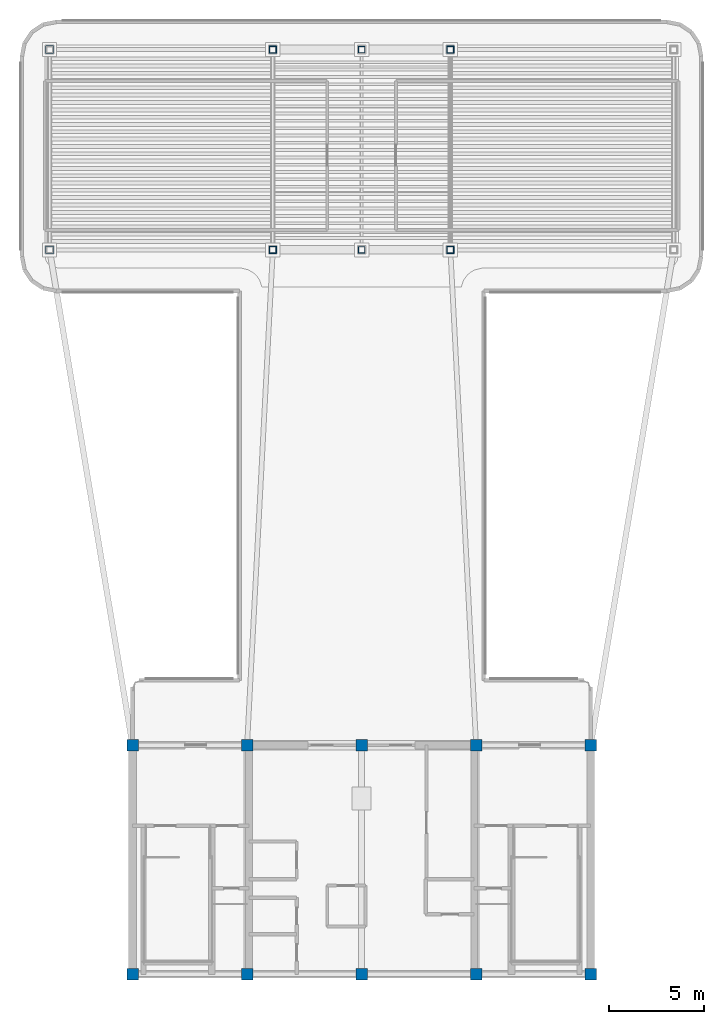
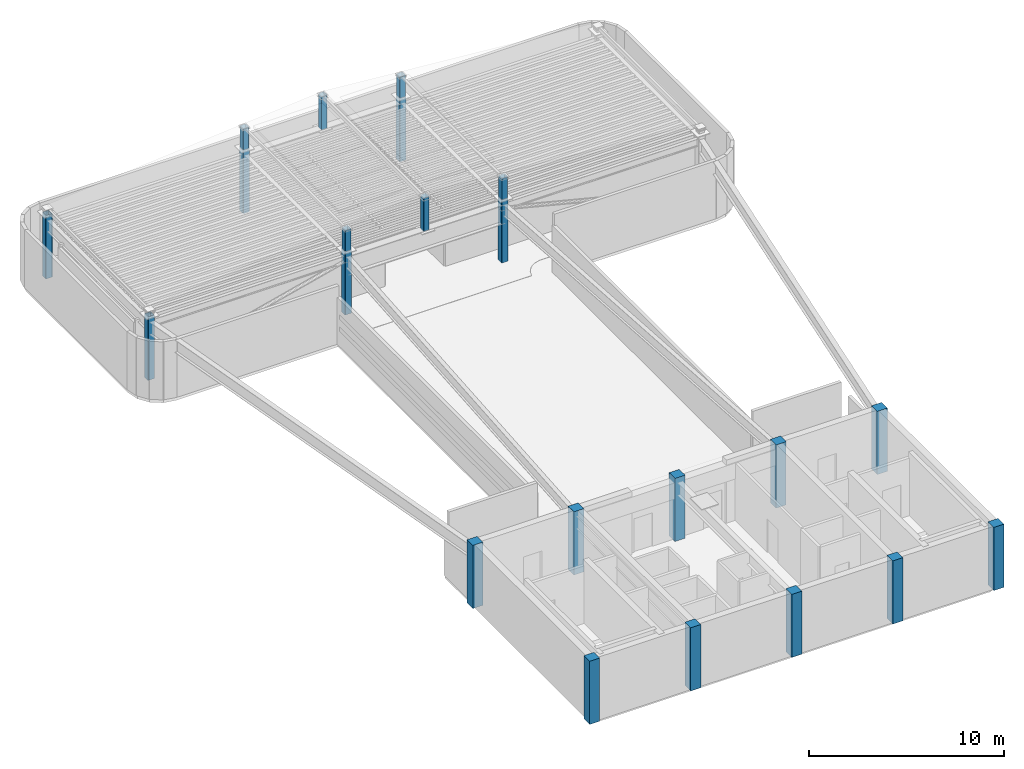
# One storey, part 1 of 7: 22 columns.
"""IFC4 building model written with IfcOpenShell, lengths in metres."""

from ifc_helpers import new_model, si_unit, direction, frame, origin, origin_2d, place, context, subcontext, project, spatial, rectangle, hollow_rectangle, extrude, source, transform, mapped, material, material_profile, profile_set, type_object, element, save


model = new_model("IFC4")

# Units and contexts
model_context = context("Model", 3, precision=1e-05, world=origin(), true_north=direction((0.0, 1.0)))
body_context = subcontext(model_context, "Body", "Model", "MODEL_VIEW")
ifc_project = project(units=[si_unit("LENGTHUNIT", "METRE"), si_unit("AREAUNIT", "SQUARE_METRE"), si_unit("VOLUMEUNIT", "CUBIC_METRE"), si_unit("PLANEANGLEUNIT", "RADIAN"), si_unit("MASSUNIT", "GRAM", prefix="KILO")], contexts=[model_context])

# Site, building, storey
site_placement = place(None, origin())
site = spatial("IfcSite", under=ifc_project, at=site_placement, CompositionType="ELEMENT")
building_placement = place(site_placement, origin())
building = spatial("IfcBuilding", under=site, at=building_placement, Name="Brelvock Crest Care Tower", CompositionType="ELEMENT")
storey_placement = place(building_placement, frame((0.0, 0.0, 315.719970703125)))
storey = spatial("IfcBuildingStorey", under=building, at=storey_placement, Name="L80", CompositionType="ELEMENT", Elevation=315.719970703125)

# Columns
ifc_material_1 = material(Name="Concrete S65 (65 MPa)", Category="concrete")
ifc_material_profile_1 = material_profile(ifc_material_1, rectangle(XDim=0.60009765625, YDim=0.60009765625, at=origin_2d()), Name="RC600x600")
ifc_profile_set_1 = profile_set([ifc_material_profile_1], Name="Concrete S65 (65 MPa)")
column_type_1 = type_object("IfcColumnType", Name="COL-RC4", PredefinedType="COLUMN", material=ifc_profile_set_1)
shared_shape_1 = source(origin(), body_context, "Body", "SweptSolid", [
    extrude(rectangle(XDim=0.60009765625, YDim=0.60009765625, at=origin_2d()), origin(), (0.0, 0.0, 1.0), 3.9599609375),
])
for number, where, z_axis, x_axis, name in (
    (1, (24.0, 6.0, 0.0), (0.0, 0.0, 1.0), (1.0, 0.0, 0.0), "L80 Core Column CC-01"),
    (2, (30.0, 6.0, 0.0), (0.0, 0.0, 1.0), (1.0, 0.0, 0.0), "L80 Core Column CC-02"),
    (3, (36.0, 6.0, 0.0), (0.0, 0.0, 1.0), (1.0, 0.0, 0.0), "L80 Core Column CC-03"),
    (4, (42.0, 6.0, 0.0), (0.0, 0.0, 1.0), (1.0, 0.0, 0.0), "L80 Core Column CC-04"),
    (5, (48.0, 6.0, 0.0), (0.0, 0.0, 1.0), (1.0, 0.0, 0.0), "L80 Core Column CC-05"),
    (6, (24.0, 18.0, 0.0), (0.0, 0.0, 1.0), (1.0, 0.0, 0.0), "L80 Core Column CC-06"),
    (7, (30.0, 18.0, 0.0), (0.0, 0.0, 1.0), (1.0, 0.0, 0.0), "L80 Core Column CC-07"),
    (8, (36.0, 18.0, 0.0), (0.0, 0.0, 1.0), (1.0, 0.0, 0.0), "L80 Core Column CC-08"),
    (9, (42.0, 18.0, 0.0), (0.0, 0.0, 1.0), (1.0, 0.0, 0.0), "L80 Core Column CC-09"),
    (10, (48.0, 18.0, 0.0), (0.0, 0.0, 1.0), (1.0, 0.0, 0.0), "L80 Core Column CC-10"),
):
    element("IfcColumn", number, at=place(storey_placement, frame(where, z_axis=z_axis, x_axis=x_axis)), inside=storey, type_object=column_type_1, Name=name, PredefinedType="COLUMN", context=body_context, shape_type="MappedRepresentation", body=[
        mapped(shared_shape_1, transform((0.0, 0.0, 0.0), x_axis=(1.0, 0.0, 0.0), y_axis=(0.0, 1.0, 0.0), z_axis=(0.0, 0.0, 1.0), scale=1.0)),
    ])
ifc_material_2 = material(Name="Steel Grade 350", Category="steel")
ifc_material_profile_2 = material_profile(ifc_material_2, hollow_rectangle(XDim=0.39990234375, YDim=0.39990234375, WallThickness=0.02001953125, OuterFilletRadius=0.0400390625, at=origin_2d()), Name="SHS400x400x20.0")
ifc_profile_set_2 = profile_set([ifc_material_profile_2], Name="Steel Grade 350")
column_type_2 = type_object("IfcColumnType", Name="COL-CR1", PredefinedType="COLUMN", material=ifc_profile_set_2)
shared_shape_2 = source(origin(), body_context, "Body", "SweptSolid", [
    extrude(hollow_rectangle(XDim=0.39990234375, YDim=0.39990234375, WallThickness=0.02001953125, OuterFilletRadius=0.0400390625, at=origin_2d()), origin(), (0.0, 0.0, 1.0), 3.9599609375),
])
for number, where, z_axis, x_axis, name in (
    (11, (19.64990234375, 43.949951171875, 0.0), (0.0, 0.0, 1.0), (1.0, 0.0, 0.0), "L80 Tower Column M1"),
    (12, (19.64990234375, 54.449951171875, 0.0), (0.0, 0.0, 1.0), (1.0, 0.0, 0.0), "L80 Tower Column M2"),
    (13, (31.35009765625, 43.949951171875, 0.0), (0.0, 0.0, 1.0), (1.0, 0.0, 0.0), "L80 Tower Column M5"),
    (14, (40.64990234375, 43.949951171875, 0.0), (0.0, 0.0, 1.0), (1.0, 0.0, 0.0), "L80 Tower Column M6"),
    (15, (31.35009765625, 54.449951171875, 0.0), (0.0, 0.0, 1.0), (1.0, 0.0, 0.0), "L80 Tower Column M7"),
    (16, (40.64990234375, 54.449951171875, 0.0), (0.0, 0.0, 1.0), (1.0, 0.0, 0.0), "L80 Tower Column M8"),
):
    element("IfcColumn", number, at=place(storey_placement, frame(where, z_axis=z_axis, x_axis=x_axis)), inside=storey, type_object=column_type_2, Name=name, PredefinedType="COLUMN", context=body_context, shape_type="MappedRepresentation", body=[
        mapped(shared_shape_2, transform((0.0, 0.0, 0.0), x_axis=(1.0, 0.0, 0.0), y_axis=(0.0, 1.0, 0.0), z_axis=(0.0, 0.0, 1.0), scale=1.0)),
    ])
ifc_material_profile_3 = material_profile(ifc_material_2, hollow_rectangle(XDim=0.35009765625, YDim=0.35009765625, WallThickness=0.01611328125, OuterFilletRadius=0.031982421875, at=origin_2d()), Name="SHS350x350x16.0")
ifc_profile_set_3 = profile_set([ifc_material_profile_3], Name="Steel Grade 350")
column_type_3 = type_object("IfcColumnType", Name="COL-CR2", PredefinedType="COLUMN", material=ifc_profile_set_3)
shared_shape_3 = source(origin(), body_context, "Body", "SweptSolid", [
    extrude(hollow_rectangle(XDim=0.35009765625, YDim=0.35009765625, WallThickness=0.01611328125, OuterFilletRadius=0.031982421875, at=origin_2d()), origin(), (0.0, 0.0, 1.0), 1.3447265625),
])
for number, where, z_axis, x_axis, name in (
    (17, (31.35009765625, 43.949951171875, 3.9599609375), (0.0, 0.0, 1.0), (1.0, 0.0, 0.0), "L80 Observation Canopy Post CP-05"),
    (18, (40.64990234375, 43.949951171875, 3.9599609375), (0.0, 0.0, 1.0), (1.0, 0.0, 0.0), "L80 Observation Canopy Post CP-06"),
    (19, (31.35009765625, 54.449951171875, 3.9599609375), (0.0, 0.0, 1.0), (1.0, 0.0, 0.0), "L80 Observation Canopy Post CP-07"),
    (20, (40.64990234375, 54.449951171875, 3.9599609375), (0.0, 0.0, 1.0), (1.0, 0.0, 0.0), "L80 Observation Canopy Post CP-08"),
):
    element("IfcColumn", number, at=place(storey_placement, frame(where, z_axis=z_axis, x_axis=x_axis)), inside=storey, type_object=column_type_3, Name=name, PredefinedType="COLUMN", context=body_context, shape_type="MappedRepresentation", body=[
        mapped(shared_shape_3, transform((0.0, 0.0, 0.0), x_axis=(1.0, 0.0, 0.0), y_axis=(0.0, 1.0, 0.0), z_axis=(0.0, 0.0, 1.0), scale=1.0)),
    ])
shared_shape_4 = source(origin(), body_context, "Body", "SweptSolid", [
    extrude(hollow_rectangle(XDim=0.35009765625, YDim=0.35009765625, WallThickness=0.01611328125, OuterFilletRadius=0.031982421875, at=origin_2d()), origin(), (0.0, 0.0, 1.0), 2.10400390625),
])
for number, where, z_axis, x_axis, name in (
    (21, (36.0, 43.949951171875, 3.590087890625), (0.0, 0.0, 1.0), (1.0, 0.0, 0.0), "L80 Observation Canopy Post CP-09"),
    (22, (36.0, 54.449951171875, 3.590087890625), (0.0, 0.0, 1.0), (1.0, 0.0, 0.0), "L80 Observation Canopy Post CP-10"),
):
    element("IfcColumn", number, at=place(storey_placement, frame(where, z_axis=z_axis, x_axis=x_axis)), inside=storey, type_object=column_type_3, Name=name, PredefinedType="COLUMN", context=body_context, shape_type="MappedRepresentation", body=[
        mapped(shared_shape_4, transform((0.0, 0.0, 0.0), x_axis=(1.0, 0.0, 0.0), y_axis=(0.0, 1.0, 0.0), z_axis=(0.0, 0.0, 1.0), scale=1.0)),
    ])

save(model, "model.ifc")
